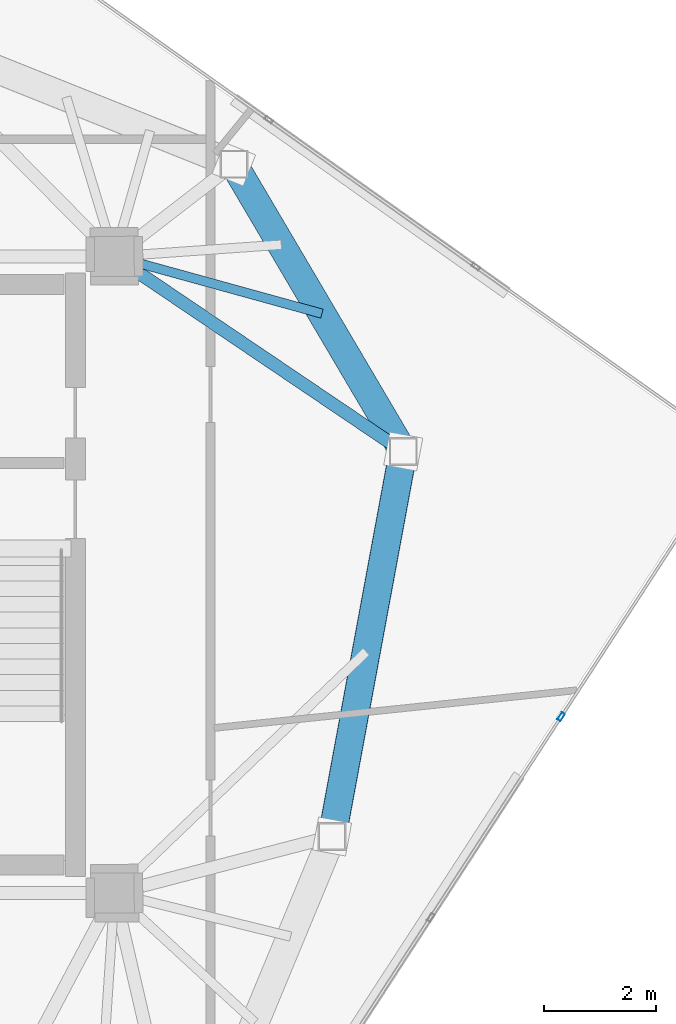
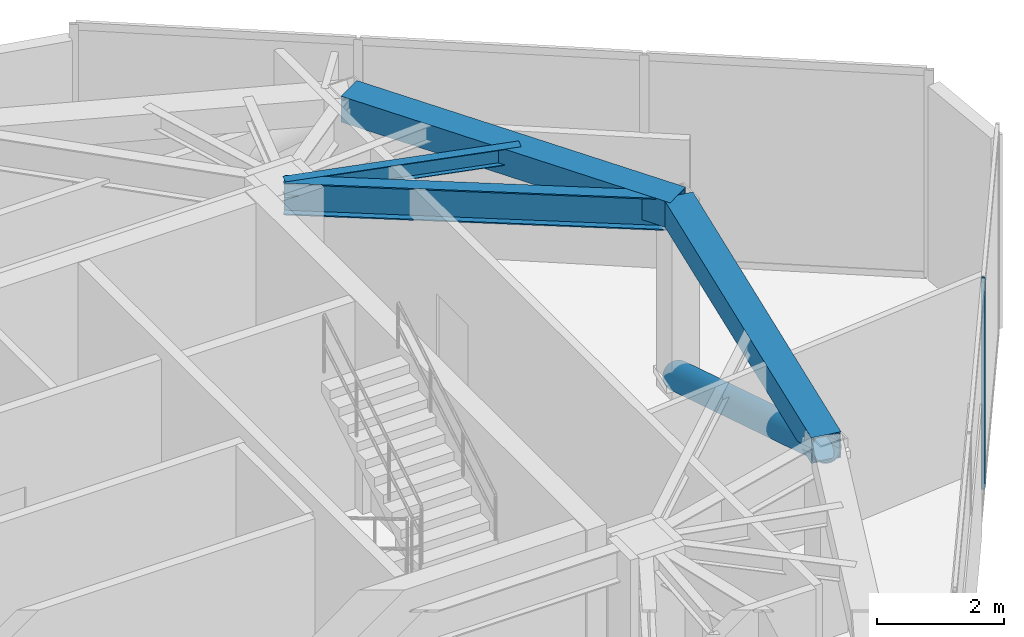
# One storey, part 13 of 21: 4 beams, 2 members, 1 element without a shape of its own.
"""IFC4 building model written with IfcOpenShell, lengths in metres."""

from ifc_helpers import new_model, si_unit, direction, frame, origin, origin_2d, place, context, subcontext, project, spatial, hollow_rectangle, hollow_circle, i_section, extrude, source, transform, mapped, material, layer, layer_set, material_profile, profile_set, type_object, type_shapes, element, aggregate, save


model = new_model("IFC4")

# Units and contexts
model_context = context("Model", 3, precision=1e-05, world=origin(), true_north=direction((0.0, 1.0)))
body_context = subcontext(model_context, "Body", "Model", "MODEL_VIEW")
ifc_project = project(units=[si_unit("LENGTHUNIT", "METRE"), si_unit("AREAUNIT", "SQUARE_METRE"), si_unit("VOLUMEUNIT", "CUBIC_METRE"), si_unit("PLANEANGLEUNIT", "RADIAN"), si_unit("MASSUNIT", "GRAM", prefix="KILO")], contexts=[model_context])

# Site, building, storey
site_placement = place(None, origin())
site = spatial("IfcSite", under=ifc_project, at=site_placement, CompositionType="ELEMENT")
building_placement = place(site_placement, origin())
building = spatial("IfcBuilding", under=site, at=building_placement, Name="Talar Marvaseh", CompositionType="ELEMENT")
storey_placement = place(building_placement, frame((0.0, 0.0, 304.0)))
storey = spatial("IfcBuildingStorey", under=building, at=storey_placement, Name="L81", CompositionType="ELEMENT", Elevation=304.0)

# Beams
ifc_material_1 = material(Name="Steel S460", Category="steel")
ifc_material_profile_1 = material_profile(ifc_material_1, hollow_rectangle(XDim=0.5, YDim=0.5, WallThickness=0.02490234375, at=origin_2d()), Name="BOX500x500x25")
ifc_profile_set_1 = profile_set([ifc_material_profile_1], Name="Steel S460")
beam_type_1 = type_object("IfcBeamType", Name="Crown Frame Top Ring Beam BOX500x500x25", PredefinedType="BEAM", material=ifc_profile_set_1)
beam_1_placement = place(storey_placement, frame((35.43798828125, 38.551025390625, 3.489990234375), z_axis=(0.507825587611, -0.861459907696, 0.0), x_axis=(0.861459907696, 0.507825587611, 0.0)))
element("IfcBeam", 1, at=beam_1_placement, inside=storey, type_object=beam_type_1, Name="L81 Crown Frame Top Ring Beam BOX500x500x25", PredefinedType="BEAM", context=body_context, shape_type="SweptSolid", body=[
    extrude(hollow_rectangle(XDim=0.5, YDim=0.5, WallThickness=0.02490234375, at=origin_2d()), origin(), (0.0, 0.0, 1.0), 5.972412109375),
])
beam_2_placement = place(storey_placement, frame((38.470947265625, 33.406005859375, 3.489990234375), z_axis=(-0.181759950929, -0.983342931148, 0.0), x_axis=(0.983342931148, -0.181759950929, 0.0)))
element("IfcBeam", 2, at=beam_2_placement, inside=storey, type_object=beam_type_1, Name="L81 Crown Frame Top Ring Beam BOX500x500x25", PredefinedType="BEAM", context=body_context, shape_type="SweptSolid", body=[
    extrude(hollow_rectangle(XDim=0.5, YDim=0.5, WallThickness=0.02490234375, at=origin_2d()), origin(), (0.0, 0.0, 1.0), 7.0087890625),
])
ifc_material_2 = material(Name="Steel S355", Category="steel")
ifc_material_profile_2 = material_profile(ifc_material_2, i_section(OverallWidth=0.166015625, OverallDepth=0.31298828125, WebThickness=0.006591796875, FlangeThickness=0.01123046875, at=origin_2d()), Name="W310x45")
ifc_profile_set_2 = profile_set([ifc_material_profile_2], Name="Steel S355")
beam_type_2 = type_object("IfcBeamType", Name="Zone 3 Secondary Floor Joist W310x45", PredefinedType="JOIST", material=ifc_profile_set_2)
beam_3_placement = place(storey_placement, frame((37.01513671875, 35.87548828125, 3.58349609375), z_axis=(-0.964021733175, 0.265823433818, 0.0), x_axis=(-0.265823433818, -0.964021733175, 0.0)))
element("IfcBeam", 3, at=beam_3_placement, inside=storey, type_object=beam_type_2, Name="L81 Zone 3 Secondary Floor Joist W310x45", PredefinedType="JOIST", context=body_context, shape_type="SweptSolid", body=[
    extrude(i_section(OverallWidth=0.166015625, OverallDepth=0.31298828125, WebThickness=0.006591796875, FlangeThickness=0.01123046875, at=origin_2d()), origin(), (0.0, 0.0, 1.0), 3.853759765625),
])
ifc_material_profile_3 = material_profile(ifc_material_2, i_section(OverallWidth=0.22998046875, OverallDepth=0.616943359375, WebThickness=0.01318359375, FlangeThickness=0.022216796875, at=origin_2d()), Name="W610x140")
ifc_profile_set_3 = profile_set([ifc_material_profile_3], Name="Steel S355")
beam_type_3 = type_object("IfcBeamType", Name="Zone 4 Radial Floor Girder W610x140", PredefinedType="BEAM", material=ifc_profile_set_3)
beam_4_placement = place(storey_placement, frame((38.470947265625, 33.406005859375, 3.431396484375), z_axis=(-0.828585535277, 0.559862492698, 0.0), x_axis=(-0.559862492698, -0.828585535277, 0.0)))
element("IfcBeam", 4, at=beam_4_placement, inside=storey, type_object=beam_type_3, Name="L81 Zone 4 Radial Floor Girder W610x140", PredefinedType="BEAM", context=body_context, shape_type="SweptSolid", body=[
    extrude(i_section(OverallWidth=0.22998046875, OverallDepth=0.616943359375, WebThickness=0.01318359375, FlangeThickness=0.022216796875, at=origin_2d()), origin(), (0.0, 0.0, 1.0), 6.24072265625),
])

# Member
ifc_material_profile_4 = material_profile(ifc_material_1, hollow_circle(Radius=0.25390625, WallThickness=0.02001953125, at=origin_2d()), Name="CHS508x20")
ifc_profile_set_4 = profile_set([ifc_material_profile_4], Name="Steel S460")
member_type_1 = type_object("IfcMemberType", Name="Crown Frame Diagonal Brace CHS508x20", PredefinedType="BRACE", material=ifc_profile_set_4)
shared_shape_1 = source(origin(), body_context, "Body", "SweptSolid", [
    extrude(hollow_circle(Radius=0.25390625, WallThickness=0.02001953125, at=origin_2d()), origin(), (0.0, 0.0, 1.0), 7.721435546875),
])
type_shapes(member_type_1, [shared_shape_1])
member_1_placement = place(storey_placement, frame((38.470947265625, 33.406005859375, 0.25), z_axis=(-0.16498456322, -0.8925860904, 0.41960715571), x_axis=(0.983342931148, -0.181759950929, 0.0)))
element("IfcMember", 5, at=member_1_placement, inside=storey, type_object=member_type_1, Name="L81 Crown Frame Diagonal Brace 7", PredefinedType="BRACE", context=body_context, shape_type="MappedRepresentation", body=[
    mapped(shared_shape_1, transform((0.0, 0.0, 0.0), x_axis=(1.0, 0.0, 0.0), y_axis=(0.0, 1.0, 0.0), z_axis=(0.0, 0.0, 1.0), scale=1.0)),
])

# Curtain wall, member
ifc_material_3 = material(Name="Architectural Aluminium", Category="aluminium")
ifc_layer = layer(ifc_material_3, 0.2099609375)
ifc_layer_set = layer_set([ifc_layer], Name="Architectural Aluminium")
curtain_wall_type = type_object("IfcCurtainWallType", Name="Crown Plant Acoustic Spandrel Curtain Wall", PredefinedType="NOTDEFINED", material=ifc_layer_set)
curtain_wall_placement = place(storey_placement, origin())
curtain_wall = element("IfcCurtainWall", 6, at=curtain_wall_placement, inside=storey, type_object=curtain_wall_type, Name="L81 Crown Plant Acoustic Spandrel Curtain Wall", PredefinedType="NOTDEFINED")
ifc_material_profile_5 = material_profile(ifc_material_3, hollow_rectangle(XDim=0.06494140625, YDim=0.14990234375, WallThickness=0.00390625, at=origin_2d()), Name="RHS150x65x4")
ifc_profile_set_5 = profile_set([ifc_material_profile_5], Name="Architectural Aluminium")
member_type_2 = type_object("IfcMemberType", Name="Unitised Curtain Wall Slim Mullion RHS150x65x4", PredefinedType="MULLION", material=ifc_profile_set_5)
shared_shape_2 = source(origin(), body_context, "Body", "SweptSolid", [
    extrude(hollow_rectangle(XDim=0.06494140625, YDim=0.14990234375, WallThickness=0.00390625, at=origin_2d()), origin(), (0.0, 0.0, 1.0), 4.0),
])
type_shapes(member_type_2, [shared_shape_2])
member_2_placement = place(storey_placement, frame((41.2998046875, 28.657470703125, 0.0), z_axis=(0.0, 0.0, 1.0), x_axis=(0.838585906919, -0.544769379387, 0.0)))
member_2 = element("IfcMember", 7, at=member_2_placement, type_object=member_type_2, Name="CW-CRN mullion 2", PredefinedType="MULLION", context=body_context, shape_type="MappedRepresentation", body=[
    mapped(shared_shape_2, transform((0.0, 0.0, 0.0), x_axis=(1.0, 0.0, 0.0), y_axis=(0.0, 1.0, 0.0), z_axis=(0.0, 0.0, 1.0), scale=1.0)),
])
aggregate(curtain_wall, [member_2])

save(model, "model.ifc")
